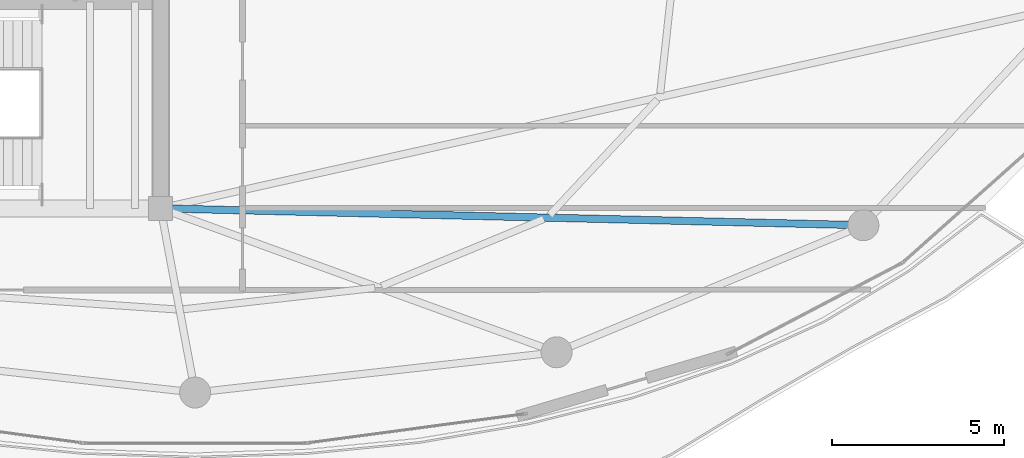
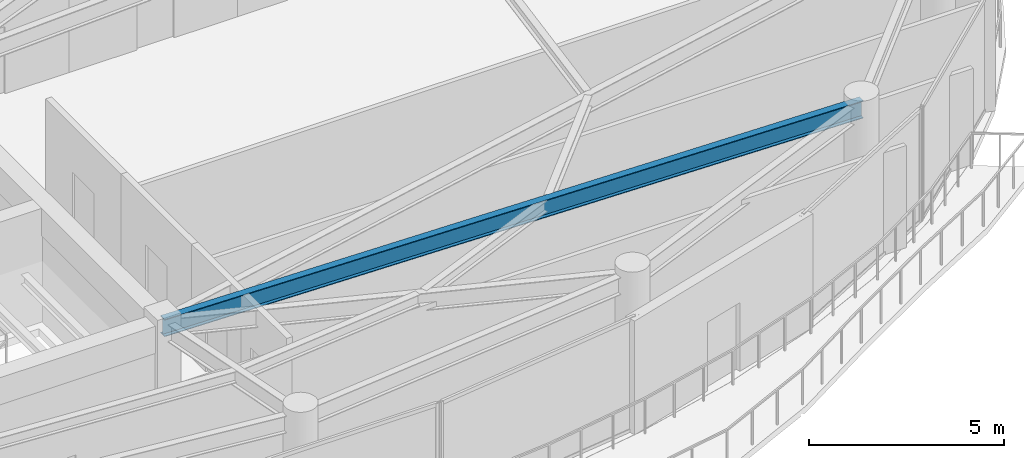
# One storey, part 12 of 30: 1 beam.
"""IFC4 building model written with IfcOpenShell, lengths in metres."""

from ifc_helpers import new_model, si_unit, direction, frame, origin, origin_2d, place, context, subcontext, project, spatial, i_section, extrude, material, material_profile, profile_set, type_object, element, save


model = new_model("IFC4")

# Units and contexts
model_context = context("Model", 3, precision=1e-05, world=origin(), true_north=direction((0.0, 1.0)))
body_context = subcontext(model_context, "Body", "Model", "MODEL_VIEW")
ifc_project = project(units=[si_unit("LENGTHUNIT", "METRE"), si_unit("AREAUNIT", "SQUARE_METRE"), si_unit("VOLUMEUNIT", "CUBIC_METRE"), si_unit("PLANEANGLEUNIT", "RADIAN"), si_unit("MASSUNIT", "GRAM", prefix="KILO")], contexts=[model_context])

# Site, building, storey
site_placement = place(None, origin())
site = spatial("IfcSite", under=ifc_project, at=site_placement, CompositionType="ELEMENT")
building_placement = place(site_placement, origin())
building = spatial("IfcBuilding", under=site, at=building_placement, Name="Kazevale Care Tower and Concert Hall", CompositionType="ELEMENT")
storey_placement = place(building_placement, frame((0.0, 0.0, 258.60009765625)))
storey = spatial("IfcBuildingStorey", under=building, at=storey_placement, Name="L68", CompositionType="ELEMENT", Elevation=258.60009765625)

# Beam
ifc_material = material(Name="Steel ASTM A572 Gr 50", Category="steel")
ifc_material_profile = material_profile(ifc_material, i_section(OverallWidth=0.2119140625, OverallDepth=0.5439453125, WebThickness=0.01318359375, FlangeThickness=0.021240234375, at=origin_2d()), Name="W530x123")
ifc_profile_set = profile_set([ifc_material_profile], Name="Steel ASTM A572 Gr 50")
beam_type = type_object("IfcBeamType", Name="Radial Floor Girder W530x123", PredefinedType="BEAM", material=ifc_profile_set)
beam_placement = place(storey_placement, frame((44.0, 23.60009765625, 3.287841796875), z_axis=(0.999711945342, -0.024000548742, 0.0), x_axis=(0.024000548742, 0.999711945342, 0.0)))
element("IfcBeam", 1, at=beam_placement, inside=storey, type_object=beam_type, Name="beam:L68:rad:15", PredefinedType="BEAM", context=body_context, shape_type="SweptSolid", body=[
    extrude(i_section(OverallWidth=0.2119140625, OverallDepth=0.5439453125, WebThickness=0.01318359375, FlangeThickness=0.021240234375, at=origin_2d()), origin(), (0.0, 0.0, 1.0), 20.415771484375),
])

save(model, "model.ifc")
